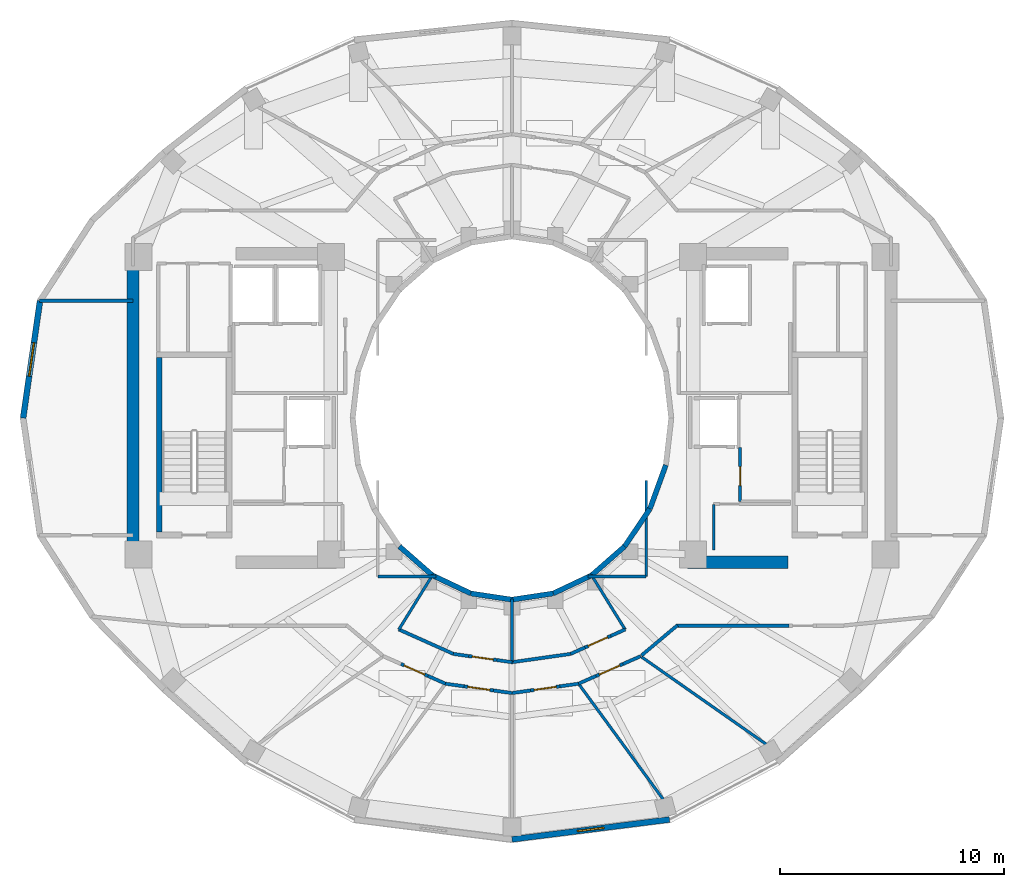
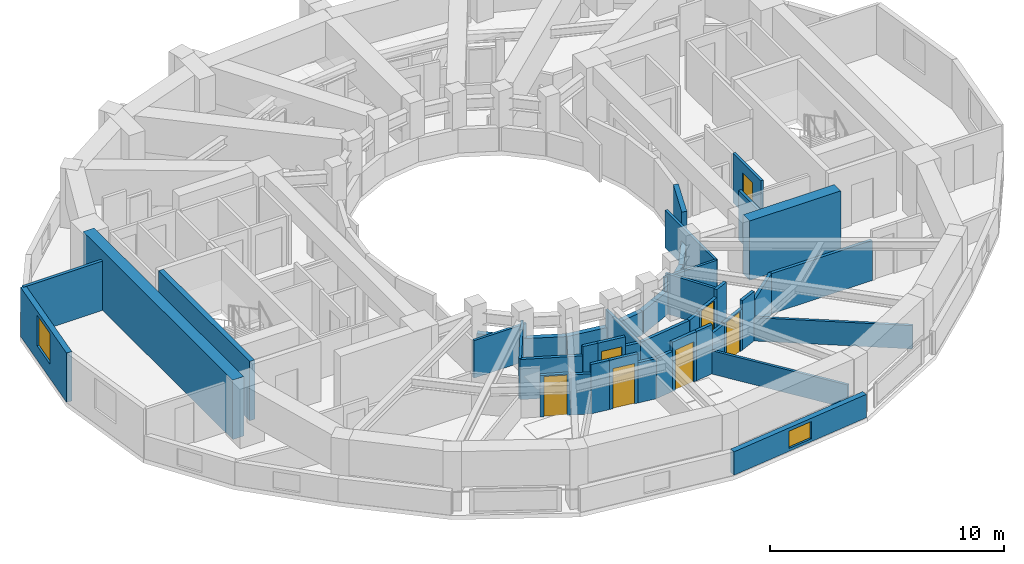
# One storey, part 11 of 17: 45 walls, 7 doors, 2 windows, 9 openings.
"""IFC4 building model written with IfcOpenShell, lengths in metres."""

from ifc_helpers import new_model, si_unit, direction, frame, frame_2d, origin, place, context, subcontext, project, spatial, rectangle, extrude, material, layer, layer_set, type_object, element, fill, save


model = new_model("IFC4")

# Units and contexts
model_context = context("Model", 3, precision=1e-05, world=origin(), true_north=direction((0.0, 1.0)))
body_context = subcontext(model_context, "Body", "Model", "MODEL_VIEW")
ifc_project = project(units=[si_unit("LENGTHUNIT", "METRE"), si_unit("AREAUNIT", "SQUARE_METRE"), si_unit("VOLUMEUNIT", "CUBIC_METRE"), si_unit("PLANEANGLEUNIT", "RADIAN"), si_unit("MASSUNIT", "GRAM", prefix="KILO")], contexts=[model_context])

# Site, building, storey
site_placement = place(None, origin())
site = spatial("IfcSite", under=ifc_project, at=site_placement, CompositionType="ELEMENT")
building_placement = place(site_placement, origin())
building = spatial("IfcBuilding", under=site, at=building_placement, Name="Solvane Sanctuary Tower", CompositionType="ELEMENT")
storey_placement = place(building_placement, frame((0.0, 0.0, 235.699951171875)))
storey = spatial("IfcBuildingStorey", under=building, at=storey_placement, Name="L72", CompositionType="ELEMENT", Elevation=235.699951171875)

# Walls
ifc_material_1 = material(Name="Concrete C50/60", Category="concrete")
ifc_layer_1 = layer(ifc_material_1, 0.550048828125, Name="Concrete C50/60")
ifc_layer_set_1 = layer_set([ifc_layer_1], Name="Concrete C50/60")
wall_type_1 = type_object("IfcWallType", Name="Wall W-CORE-550", PredefinedType="SHEAR", material=ifc_layer_set_1)
wall_1_placement = place(storey_placement, frame((15.050048828125, 17.050048828125, 0.0), z_axis=(0.0, 0.0, 1.0), x_axis=(0.0, 1.0, 0.0)))
element("IfcWall", 1, at=wall_1_placement, inside=storey, type_object=wall_type_1, Name="L72 Core Shear Wall WC-W", PredefinedType="SHEAR", context=body_context, shape_type="SweptSolid", body=[
    extrude(rectangle(XDim=12.800048828125, YDim=0.550048828125, at=frame_2d((6.39990234375, 0.0))), origin(), (0.0, 0.0, 1.0), 3.10009765625),
])
wall_2_placement = place(storey_placement, frame((39.85009765625, 16.550048828125, 0.0), z_axis=(0.0, 0.0, 1.0), x_axis=(1.0, 0.0, 0.0)))
element("IfcWall", 2, at=wall_2_placement, inside=storey, type_object=wall_type_1, Name="L72 Core Shear Wall EC-S", PredefinedType="SHEAR", context=body_context, shape_type="SweptSolid", body=[
    extrude(rectangle(XDim=4.5, YDim=0.550048828125, at=frame_2d((2.25, 0.0))), origin(), (0.0, 0.0, 1.0), 3.10009765625),
])
ifc_material_2 = material(Name="Acoustic Gypsum Partition Board")
ifc_layer_2 = layer(ifc_material_2, 0.14990234375, Name="Acoustic Gypsum Partition Board")
ifc_layer_set_2 = layer_set([ifc_layer_2], Name="Acoustic Gypsum Partition Board")
wall_type_2 = type_object("IfcWallType", Name="Wall W-CORR-150", PredefinedType="PARTITIONING", material=ifc_layer_set_2)
wall_3_placement = place(storey_placement, frame((26.934814453125, 13.548583984375, 0.0), z_axis=(0.0, 0.0, 1.0), x_axis=(0.912859324183, -0.408274239027, 0.0)))
element("IfcWall", 3, at=wall_3_placement, inside=storey, type_object=wall_type_2, Name="L72 South Light-Well Corridor Wall 1", PredefinedType="PARTITIONING", context=body_context, shape_type="SweptSolid", body=[
    extrude(rectangle(XDim=2.681884765625, YDim=0.14990234375, at=frame_2d((1.3408203125, 0.0))), origin(), (0.0, 0.0, 1.0), 2.095947265625),
])
wall_4_placement = place(storey_placement, frame((29.379638671875, 12.45458984375, 0.0), z_axis=(0.0, 0.0, 1.0), x_axis=(0.990090139669, -0.140433312754, 0.0)))
element("IfcWall", 4, at=wall_4_placement, inside=storey, type_object=wall_type_2, Name="L72 South Light-Well Corridor Wall 1", PredefinedType="PARTITIONING", context=body_context, shape_type="SweptSolid", body=[
    extrude(rectangle(XDim=0.69189453125, YDim=0.14990234375, at=frame_2d((0.345947265625, 0.0))), origin(), (0.0, 0.0, 1.0), 2.574951171875),
])

# Wall, opening, door
wall_5_placement = place(storey_placement, frame((30.064697265625, 12.357421875, 0.0), z_axis=(0.0, 0.0, 1.0), x_axis=(0.990102710588, -0.140344656064, 0.0)))
wall_5 = element("IfcWall", 5, at=wall_5_placement, inside=storey, type_object=wall_type_2, Name="L72 South Light-Well Corridor Wall 1", PredefinedType="PARTITIONING", context=body_context, shape_type="SweptSolid", body=[
    extrude(rectangle(XDim=1.269775390625, YDim=0.14990234375, at=frame_2d((0.634765625, 0.0))), origin(), (0.0, 0.0, 1.0), 2.574951171875),
])
opening_1_placement = place(wall_5_placement, frame((0.159912109375, 0.0, 0.0)))
opening_1 = element("IfcOpeningElement", 6, at=opening_1_placement, cuts=wall_5, Name="Opening D-L72-15", PredefinedType="OPENING", context=body_context, shape_type="SweptSolid", body=[
    extrude(rectangle(XDim=0.949951171875, YDim=2.10009765625, at=frame_2d((0.47509765625, 1.050048828125))), frame((0.0, 0.0849609375, 0.0), z_axis=(0.0, -1.0, 0.0), x_axis=(1.0, 0.0, 0.0)), (0.0, 0.0, 1.0), 0.169921875),
])
ifc_material_3 = material(Name="Engineered Tropical Hardwood", Category="wood")
door_type_1 = type_object("IfcDoorType", Name="Door D-ROOM-950", OperationType="NOTDEFINED", PredefinedType="DOOR", material=ifc_material_3)
door_1_placement = place(opening_1_placement, origin())
door_1 = element("IfcDoor", 7, at=door_1_placement, inside=storey, type_object=door_type_1, Name="L72 South Light-Well Alcove Door 1", OperationType="SINGLE_SWING_LEFT", OverallHeight=2.10009765625, OverallWidth=0.949951171875, PredefinedType="DOOR", context=body_context, shape_type="SweptSolid", body=[
    extrude(rectangle(XDim=0.949951171875, YDim=2.10009765625, at=frame_2d((0.47509765625, 1.050048828125))), frame((0.0, 0.02490234375, 0.0), z_axis=(0.0, -1.0, 0.0), x_axis=(1.0, 0.0, 0.0)), (0.0, 0.0, 1.0), 0.050048828125),
])
fill(opening_1, door_1)

# Walls
wall_6_placement = place(storey_placement, frame((31.322021484375, 12.17919921875, 0.0), z_axis=(0.0, 0.0, 1.0), x_axis=(0.990090139669, -0.140433312754, 0.0)))
element("IfcWall", 8, at=wall_6_placement, inside=storey, type_object=wall_type_2, Name="L72 South Light-Well Corridor Wall 1", PredefinedType="PARTITIONING", context=body_context, shape_type="SweptSolid", body=[
    extrude(rectangle(XDim=0.69189453125, YDim=0.14990234375, at=frame_2d((0.345947265625, 0.0))), origin(), (0.0, 0.0, 1.0), 2.095947265625),
])
wall_7_placement = place(storey_placement, frame((31.992919921875, 12.08203125, 0.0), z_axis=(0.0, 0.0, 1.0), x_axis=(0.990096156252, 0.140390887794, 0.0)))
element("IfcWall", 9, at=wall_7_placement, inside=storey, type_object=wall_type_2, Name="L72 South Light-Well Corridor Wall 2", PredefinedType="PARTITIONING", context=body_context, shape_type="SweptSolid", body=[
    extrude(rectangle(XDim=2.65380859375, YDim=0.14990234375, at=frame_2d((1.326904296875, 0.0))), origin(), (0.0, 0.0, 1.0), 2.095947265625),
])
wall_8_placement = place(storey_placement, frame((34.616943359375, 12.45361328125, 0.0), z_axis=(0.0, 0.0, 1.0), x_axis=(0.912953893823, 0.408062725269, 0.0)))
element("IfcWall", 10, at=wall_8_placement, inside=storey, type_object=wall_type_2, Name="L72 South Light-Well Corridor Wall 2", PredefinedType="PARTITIONING", context=body_context, shape_type="SweptSolid", body=[
    extrude(rectangle(XDim=0.7060546875, YDim=0.14990234375, at=frame_2d((0.35302734375, 0.0))), origin(), (0.0, 0.0, 1.0), 2.095947265625),
])

# Wall, opening, door
wall_9_placement = place(storey_placement, frame((35.261474609375, 12.74169921875, 0.0), z_axis=(0.0, 0.0, 1.0), x_axis=(0.912825795494, 0.408349197479, 0.0)))
wall_9 = element("IfcWall", 11, at=wall_9_placement, inside=storey, type_object=wall_type_2, Name="L72 South Light-Well Corridor Wall 2", PredefinedType="PARTITIONING", context=body_context, shape_type="SweptSolid", body=[
    extrude(rectangle(XDim=1.269775390625, YDim=0.14990234375, at=frame_2d((0.634765625, 0.0))), origin(), (0.0, 0.0, 1.0), 2.16015625),
])
opening_2_placement = place(wall_9_placement, frame((0.159912109375, 0.0, 0.0)))
opening_2 = element("IfcOpeningElement", 12, at=opening_2_placement, cuts=wall_9, Name="Opening D-L72-16", PredefinedType="OPENING", context=body_context, shape_type="SweptSolid", body=[
    extrude(rectangle(XDim=0.949951171875, YDim=2.10009765625, at=frame_2d((0.47509765625, 1.050048828125))), frame((0.0, 0.0849609375, 0.0), z_axis=(0.0, -1.0, 0.0), x_axis=(1.0, 0.0, 0.0)), (0.0, 0.0, 1.0), 0.169921875),
])
door_2_placement = place(opening_2_placement, origin())
door_2 = element("IfcDoor", 13, at=door_2_placement, inside=storey, type_object=door_type_1, Name="L72 South Light-Well Alcove Door 2", OperationType="SINGLE_SWING_RIGHT", OverallHeight=2.10009765625, OverallWidth=0.949951171875, PredefinedType="DOOR", context=body_context, shape_type="SweptSolid", body=[
    extrude(rectangle(XDim=0.949951171875, YDim=2.10009765625, at=frame_2d((0.47509765625, 1.050048828125))), frame((0.0, 0.02490234375, 0.0), z_axis=(0.0, -1.0, 0.0), x_axis=(1.0, 0.0, 0.0)), (0.0, 0.0, 1.0), 0.050048828125),
])
fill(opening_2, door_2)

# Walls
wall_10_placement = place(storey_placement, frame((36.420654296875, 13.26025390625, 0.0), z_axis=(0.0, 0.0, 1.0), x_axis=(0.912825035427, 0.40835089653, 0.0)))
element("IfcWall", 14, at=wall_10_placement, inside=storey, type_object=wall_type_2, Name="L72 South Light-Well Corridor Wall 2", PredefinedType="PARTITIONING", context=body_context, shape_type="SweptSolid", body=[
    extrude(rectangle(XDim=0.7060546875, YDim=0.14990234375, at=frame_2d((0.35302734375, 0.0))), origin(), (0.0, 0.0, 1.0), 2.574951171875),
])
wall_11_placement = place(storey_placement, frame((10.87548828125, 28.245361328125, 0.0), z_axis=(0.0, 0.0, 1.0), x_axis=(1.0, 0.0, 0.0)))
element("IfcWall", 15, at=wall_11_placement, inside=storey, type_object=wall_type_2, Name="L72 West Shoulder North Wall", PredefinedType="PARTITIONING", context=body_context, shape_type="SweptSolid", body=[
    extrude(rectangle(XDim=4.174560546875, YDim=0.14990234375, at=frame_2d((2.08740234375, 0.0))), origin(), (0.0, 0.0, 1.0), 2.574951171875),
])
wall_12_placement = place(storey_placement, frame((37.791015625, 12.385009765625, 0.0), z_axis=(0.0, 0.0, 1.0), x_axis=(0.765677451641, 0.643224719711, 0.0)))
element("IfcWall", 16, at=wall_12_placement, inside=storey, type_object=wall_type_2, Name="L72 SE Corner Throat Wall", PredefinedType="PARTITIONING", context=body_context, shape_type="SweptSolid", body=[
    extrude(rectangle(XDim=2.10546875, YDim=0.14990234375, at=frame_2d((1.052734375, 0.0))), origin(), (0.0, 0.0, 1.0), 2.095947265625),
])
wall_13_placement = place(storey_placement, frame((39.330078125, 13.719970703125, 0.0), z_axis=(0.0, 0.0, 1.0), x_axis=(1.0, 0.0, 0.0)))
element("IfcWall", 17, at=wall_13_placement, inside=storey, type_object=wall_type_2, Name="L72 SE Corner Corridor Wall", PredefinedType="PARTITIONING", context=body_context, shape_type="SweptSolid", body=[
    extrude(rectangle(XDim=5.059814453125, YDim=0.14990234375, at=frame_2d((2.52978515625, 0.0))), origin(), (0.0, 0.0, 1.0), 2.095947265625),
])

# Wall, opening, door
wall_14_placement = place(storey_placement, frame((27.034423828125, 12.003662109375, 0.0), z_axis=(0.0, 0.0, 1.0), x_axis=(0.914314172667, -0.405005671145, 0.0)))
wall_14 = element("IfcWall", 18, at=wall_14_placement, inside=storey, type_object=wall_type_2, Name="L72 Unit Corridor Wall S1", PredefinedType="PARTITIONING", context=body_context, shape_type="SweptSolid", body=[
    extrude(rectangle(XDim=1.320068359375, YDim=0.14990234375, at=frame_2d((0.66015625, 0.0))), origin(), (0.0, 0.0, 1.0), 2.16015625),
])
opening_3_placement = place(wall_14_placement, frame((0.159912109375, 0.0, 0.0)))
opening_3 = element("IfcOpeningElement", 19, at=opening_3_placement, cuts=wall_14, Name="Opening D-L72-27", PredefinedType="OPENING", context=body_context, shape_type="SweptSolid", body=[
    extrude(rectangle(XDim=1.0, YDim=2.10009765625, at=frame_2d((0.5, 1.050048828125))), frame((0.0, 0.0849609375, 0.0), z_axis=(0.0, -1.0, 0.0), x_axis=(1.0, 0.0, 0.0)), (0.0, 0.0, 1.0), 0.169921875),
])
door_type_2 = type_object("IfcDoorType", Name="Door D-UNIT", OperationType="NOTDEFINED", PredefinedType="DOOR", material=ifc_material_3)
door_3_placement = place(opening_3_placement, origin())
door_3 = element("IfcDoor", 20, at=door_3_placement, inside=storey, type_object=door_type_2, Name="L72 Unit Entrance Door S1", OperationType="SINGLE_SWING_LEFT", OverallHeight=2.10009765625, OverallWidth=1.0, PredefinedType="DOOR", context=body_context, shape_type="SweptSolid", body=[
    extrude(rectangle(XDim=1.0, YDim=2.10009765625, at=frame_2d((0.5, 1.050048828125))), frame((0.0, 0.02490234375, 0.0), z_axis=(0.0, -1.0, 0.0), x_axis=(1.0, 0.0, 0.0)), (0.0, 0.0, 1.0), 0.050048828125),
])
fill(opening_3, door_3)

# Walls
wall_15_placement = place(storey_placement, frame((28.241455078125, 11.468994140625, 0.0), z_axis=(0.0, 0.0, 1.0), x_axis=(0.914346402493, -0.40493290339, 0.0)))
element("IfcWall", 21, at=wall_15_placement, inside=storey, type_object=wall_type_2, Name="L72 Unit Corridor Wall S1", PredefinedType="PARTITIONING", context=body_context, shape_type="SweptSolid", body=[
    extrude(rectangle(XDim=0.864501953125, YDim=0.14990234375, at=frame_2d((0.43212890625, 0.0))), origin(), (0.0, 0.0, 1.0), 2.095947265625),
])
wall_16_placement = place(storey_placement, frame((29.016357421875, 11.123291015625, 0.0), z_axis=(0.0, 0.0, 1.0), x_axis=(0.99022315503, -0.139492305317, 0.0)))
element("IfcWall", 22, at=wall_16_placement, inside=storey, type_object=wall_type_2, Name="L72 Unit Corridor Wall S2", PredefinedType="PARTITIONING", context=body_context, shape_type="SweptSolid", body=[
    extrude(rectangle(XDim=0.8505859375, YDim=0.14990234375, at=frame_2d((0.42529296875, 0.0))), origin(), (0.0, 0.0, 1.0), 2.574951171875),
])

# Wall, opening, door
wall_17_placement = place(storey_placement, frame((29.858642578125, 11.004638671875, 0.0), z_axis=(0.0, 0.0, 1.0), x_axis=(0.990228663531, -0.139453196171, 0.0)))
wall_17 = element("IfcWall", 23, at=wall_17_placement, inside=storey, type_object=wall_type_2, Name="L72 Unit Corridor Wall S2", PredefinedType="PARTITIONING", context=body_context, shape_type="SweptSolid", body=[
    extrude(rectangle(XDim=1.320068359375, YDim=0.14990234375, at=frame_2d((0.66015625, 0.0))), origin(), (0.0, 0.0, 1.0), 2.574951171875),
])
opening_4_placement = place(wall_17_placement, frame((0.159912109375, 0.0, 0.0)))
opening_4 = element("IfcOpeningElement", 24, at=opening_4_placement, cuts=wall_17, Name="Opening D-L72-28", PredefinedType="OPENING", context=body_context, shape_type="SweptSolid", body=[
    extrude(rectangle(XDim=1.0, YDim=2.10009765625, at=frame_2d((0.5, 1.050048828125))), frame((0.0, 0.0849609375, 0.0), z_axis=(0.0, -1.0, 0.0), x_axis=(1.0, 0.0, 0.0)), (0.0, 0.0, 1.0), 0.169921875),
])
door_4_placement = place(opening_4_placement, origin())
door_4 = element("IfcDoor", 25, at=door_4_placement, inside=storey, type_object=door_type_2, Name="L72 Unit Entrance Door S2", OperationType="SINGLE_SWING_RIGHT", OverallHeight=2.10009765625, OverallWidth=1.0, PredefinedType="DOOR", context=body_context, shape_type="SweptSolid", body=[
    extrude(rectangle(XDim=1.0, YDim=2.10009765625, at=frame_2d((0.5, 1.050048828125))), frame((0.0, 0.02490234375, 0.0), z_axis=(0.0, -1.0, 0.0), x_axis=(1.0, 0.0, 0.0)), (0.0, 0.0, 1.0), 0.050048828125),
])
fill(opening_4, door_4)

# Walls
for number, where, z_axis, x_axis, name in (
    (26, (31.165771484375, 10.820556640625, 0.0), (0.0, 0.0, 1.0), (0.99022315503, -0.139492305317, 0.0), "L72 Unit Corridor Wall S2"),
    (27, (31.991943359375, 10.701904296875, 0.0), (0.0, 0.0, 1.0), (0.99022315503, 0.139492305317, 0.0), "L72 Unit Corridor Wall S3"),
):
    element("IfcWall", number, at=place(storey_placement, frame(where, z_axis=z_axis, x_axis=x_axis)), inside=storey, type_object=wall_type_2, Name=name, PredefinedType="PARTITIONING", context=body_context, shape_type="SweptSolid", body=[
        extrude(rectangle(XDim=0.8505859375, YDim=0.14990234375, at=frame_2d((0.42529296875, 0.0))), origin(), (0.0, 0.0, 1.0), 2.095947265625),
    ])

# Wall, opening, door
wall_18_placement = place(storey_placement, frame((32.834228515625, 10.820556640625, 0.0), z_axis=(0.0, 0.0, 1.0), x_axis=(0.990228663531, 0.139453196171, 0.0)))
wall_18 = element("IfcWall", 28, at=wall_18_placement, inside=storey, type_object=wall_type_2, Name="L72 Unit Corridor Wall S3", PredefinedType="PARTITIONING", context=body_context, shape_type="SweptSolid", body=[
    extrude(rectangle(XDim=1.320068359375, YDim=0.14990234375, at=frame_2d((0.66015625, 0.0))), origin(), (0.0, 0.0, 1.0), 2.574951171875),
])
opening_5_placement = place(wall_18_placement, frame((0.159912109375, 0.0, 0.0)))
opening_5 = element("IfcOpeningElement", 29, at=opening_5_placement, cuts=wall_18, Name="Opening D-L72-29", PredefinedType="OPENING", context=body_context, shape_type="SweptSolid", body=[
    extrude(rectangle(XDim=1.0, YDim=2.10009765625, at=frame_2d((0.5, 1.050048828125))), frame((0.0, 0.0849609375, 0.0), z_axis=(0.0, -1.0, 0.0), x_axis=(1.0, 0.0, 0.0)), (0.0, 0.0, 1.0), 0.169921875),
])
door_5_placement = place(opening_5_placement, origin())
door_5 = element("IfcDoor", 30, at=door_5_placement, inside=storey, type_object=door_type_2, Name="L72 Unit Entrance Door S3", OperationType="SINGLE_SWING_LEFT", OverallHeight=2.10009765625, OverallWidth=1.0, PredefinedType="DOOR", context=body_context, shape_type="SweptSolid", body=[
    extrude(rectangle(XDim=1.0, YDim=2.10009765625, at=frame_2d((0.5, 1.050048828125))), frame((0.0, 0.02490234375, 0.0), z_axis=(0.0, -1.0, 0.0), x_axis=(1.0, 0.0, 0.0)), (0.0, 0.0, 1.0), 0.050048828125),
])
fill(opening_5, door_5)

# Walls
wall_19_placement = place(storey_placement, frame((34.141357421875, 11.004638671875, 0.0), z_axis=(0.0, 0.0, 1.0), x_axis=(0.99022315503, 0.139492305317, 0.0)))
element("IfcWall", 31, at=wall_19_placement, inside=storey, type_object=wall_type_2, Name="L72 Unit Corridor Wall S3", PredefinedType="PARTITIONING", context=body_context, shape_type="SweptSolid", body=[
    extrude(rectangle(XDim=0.8505859375, YDim=0.14990234375, at=frame_2d((0.42529296875, 0.0))), origin(), (0.0, 0.0, 1.0), 2.574951171875),
])
wall_20_placement = place(storey_placement, frame((34.968017578125, 11.118896484375, 0.0), z_axis=(0.0, 0.0, 1.0), x_axis=(0.914346402493, 0.40493290339, 0.0)))
element("IfcWall", 32, at=wall_20_placement, inside=storey, type_object=wall_type_2, Name="L72 Unit Corridor Wall S4", PredefinedType="PARTITIONING", context=body_context, shape_type="SweptSolid", body=[
    extrude(rectangle(XDim=0.864501953125, YDim=0.14990234375, at=frame_2d((0.43212890625, 0.0))), origin(), (0.0, 0.0, 1.0), 2.095947265625),
])

# Wall, opening, door
wall_21_placement = place(storey_placement, frame((35.758544921875, 11.468994140625, 0.0), z_axis=(0.0, 0.0, 1.0), x_axis=(0.914314172667, 0.405005671145, 0.0)))
wall_21 = element("IfcWall", 33, at=wall_21_placement, inside=storey, type_object=wall_type_2, Name="L72 Unit Corridor Wall S4", PredefinedType="PARTITIONING", context=body_context, shape_type="SweptSolid", body=[
    extrude(rectangle(XDim=1.320068359375, YDim=0.14990234375, at=frame_2d((0.66015625, 0.0))), origin(), (0.0, 0.0, 1.0), 2.16015625),
])
opening_6_placement = place(wall_21_placement, frame((0.159912109375, 0.0, 0.0)))
opening_6 = element("IfcOpeningElement", 34, at=opening_6_placement, cuts=wall_21, Name="Opening D-L72-30", PredefinedType="OPENING", context=body_context, shape_type="SweptSolid", body=[
    extrude(rectangle(XDim=1.0, YDim=2.10009765625, at=frame_2d((0.5, 1.050048828125))), frame((0.0, 0.0849609375, 0.0), z_axis=(0.0, -1.0, 0.0), x_axis=(1.0, 0.0, 0.0)), (0.0, 0.0, 1.0), 0.169921875),
])
door_6_placement = place(opening_6_placement, origin())
door_6 = element("IfcDoor", 35, at=door_6_placement, inside=storey, type_object=door_type_2, Name="L72 Unit Entrance Door S4", OperationType="SINGLE_SWING_RIGHT", OverallHeight=2.10009765625, OverallWidth=1.0, PredefinedType="DOOR", context=body_context, shape_type="SweptSolid", body=[
    extrude(rectangle(XDim=1.0, YDim=2.10009765625, at=frame_2d((0.5, 1.050048828125))), frame((0.0, 0.02490234375, 0.0), z_axis=(0.0, -1.0, 0.0), x_axis=(1.0, 0.0, 0.0)), (0.0, 0.0, 1.0), 0.050048828125),
])
fill(opening_6, door_6)

# Wall
wall_22_placement = place(storey_placement, frame((36.965576171875, 12.003662109375, 0.0), z_axis=(0.0, 0.0, 1.0), x_axis=(0.914241833088, 0.405168940853, 0.0)))
element("IfcWall", 36, at=wall_22_placement, inside=storey, type_object=wall_type_2, Name="L72 Unit Corridor Wall S4", PredefinedType="PARTITIONING", context=body_context, shape_type="SweptSolid", body=[
    extrude(rectangle(XDim=0.86474609375, YDim=0.14990234375, at=frame_2d((0.432373046875, 0.0))), origin(), (0.0, 0.0, 1.0), 2.574951171875),
])

# Wall, opening, window
ifc_material_4 = material(Name="Precast concrete C40/50", Category="concrete")
ifc_layer_3 = layer(ifc_material_4, 0.260009765625, Name="Precast concrete C40/50")
ifc_layer_set_3 = layer_set([ifc_layer_3], Name="Precast concrete C40/50")
wall_type_3 = type_object("IfcWallType", Name="Wall W-EXT-250", PredefinedType="STANDARD", material=ifc_layer_set_3)
wall_23_placement = place(storey_placement, frame((10.895263671875, 28.23876953125, 0.0), z_axis=(0.0, 0.0, 1.0), x_axis=(-0.142712754019, -0.989764148593, 0.0)))
wall_23 = element("IfcWall", 37, at=wall_23_placement, inside=storey, type_object=wall_type_3, Name="L72 Ceramic-Printed Facade Wall 11", PredefinedType="STANDARD", context=body_context, shape_type="SweptSolid", body=[
    extrude(rectangle(XDim=5.29296875, YDim=0.260009765625, at=frame_2d((2.646484375, 0.0))), origin(), (0.0, 0.0, 1.0), 2.570068359375),
])
opening_7_placement = place(wall_23_placement, frame((1.896484375, 0.0, 0.75)))
opening_7 = element("IfcOpeningElement", 38, at=opening_7_placement, cuts=wall_23, Name="Opening WN-OPER-1500", PredefinedType="OPENING", context=body_context, shape_type="SweptSolid", body=[
    extrude(rectangle(XDim=1.5, YDim=1.60009765625, at=frame_2d((0.75, 0.800048828125))), frame((0.0, 0.139892578125, 0.0), z_axis=(0.0, -1.0, 0.0), x_axis=(1.0, 0.0, 0.0)), (0.0, 0.0, 1.0), 0.280029296875),
])
ifc_material_5 = material(Name="Dark Ceramic-Fritted Low-E Glass", Category="glass")
window_type_1 = type_object("IfcWindowType", Name="Window WN-OPER-1500", PartitioningType="SINGLE_PANEL", PredefinedType="WINDOW", material=ifc_material_5)
window_1_placement = place(opening_7_placement, origin())
window_1 = element("IfcWindow", 39, at=window_1_placement, inside=storey, type_object=window_type_1, Name="L72 Operable Facade Window 11", OverallHeight=1.60009765625, OverallWidth=1.5, PartitioningType="SINGLE_PANEL", PredefinedType="WINDOW", context=body_context, shape_type="SweptSolid", body=[
    extrude(rectangle(XDim=1.5, YDim=1.60009765625, at=frame_2d((0.75, 0.800048828125))), frame((0.0, 0.030029296875, 0.0), z_axis=(0.0, -1.0, 0.0), x_axis=(1.0, 0.0, 0.0)), (0.0, 0.0, 1.0), 0.06005859375),
])
fill(opening_7, window_1)

wall_24_placement = place(storey_placement, frame((32.0, 4.162109375, 0.0), z_axis=(0.0, 0.0, 1.0), x_axis=(0.992180211307, 0.124813574142, 0.0)))
wall_24 = element("IfcWall", 40, at=wall_24_placement, inside=storey, type_object=wall_type_3, Name="L72 Ceramic-Printed Facade Wall 18", PredefinedType="STANDARD", context=body_context, shape_type="SweptSolid", body=[
    extrude(rectangle(XDim=7.098388671875, YDim=0.260009765625, at=frame_2d((3.54931640625, 0.0))), origin(), (0.0, 0.0, 1.0), 1.219970703125),
])
opening_8_placement = place(wall_24_placement, frame((2.94921875, 0.0, 0.14990234375)))
opening_8 = element("IfcOpeningElement", 41, at=opening_8_placement, cuts=wall_24, Name="Opening WN-OPER-1200", PredefinedType="OPENING", context=body_context, shape_type="SweptSolid", body=[
    extrude(rectangle(XDim=1.199951171875, YDim=0.89990234375, at=frame_2d((0.60009765625, 0.449951171875))), frame((0.0, 0.139892578125, 0.0), z_axis=(0.0, -1.0, 0.0), x_axis=(1.0, 0.0, 0.0)), (0.0, 0.0, 1.0), 0.280029296875),
])
window_type_2 = type_object("IfcWindowType", Name="Window WN-OPER-1200", PartitioningType="SINGLE_PANEL", PredefinedType="WINDOW", material=ifc_material_5)
window_2_placement = place(opening_8_placement, origin())
window_2 = element("IfcWindow", 42, at=window_2_placement, inside=storey, type_object=window_type_2, Name="L72 Operable Facade Window 18", OverallHeight=0.89990234375, OverallWidth=1.199951171875, PartitioningType="SINGLE_PANEL", PredefinedType="WINDOW", context=body_context, shape_type="SweptSolid", body=[
    extrude(rectangle(XDim=1.199951171875, YDim=0.89990234375, at=frame_2d((0.60009765625, 0.449951171875))), frame((0.0, 0.030029296875, 0.0), z_axis=(0.0, -1.0, 0.0), x_axis=(1.0, 0.0, 0.0)), (0.0, 0.0, 1.0), 0.06005859375),
])
fill(opening_8, window_2)

# Walls
ifc_layer_4 = layer(ifc_material_4, 0.22998046875, Name="Precast concrete C40/50")
ifc_layer_set_4 = layer_set([ifc_layer_4], Name="Precast concrete C40/50")
wall_type_4 = type_object("IfcWallType", Name="Wall W-EXT-SP220", PredefinedType="STANDARD", material=ifc_layer_set_4)
wall_25_placement = place(storey_placement, frame((26.96533203125, 17.25830078125, 0.0), z_axis=(0.0, 0.0, 1.0), x_axis=(0.752576694707, -0.658504607869, 0.0)))
element("IfcWall", 43, at=wall_25_placement, inside=storey, type_object=wall_type_4, Name="L72 Central Light-Well Wall 15", PredefinedType="STANDARD", context=body_context, shape_type="SweptSolid", body=[
    extrude(rectangle(XDim=1.95947265625, YDim=0.22998046875, at=frame_2d((0.979736328125, 0.0))), origin(), (0.0, 0.0, 1.0), 1.219970703125),
])
wall_26_placement = place(storey_placement, frame((28.43994140625, 15.968017578125, 0.0), z_axis=(0.0, 0.0, 1.0), x_axis=(0.904179699603, -0.427152280606, 0.0)))
element("IfcWall", 44, at=wall_26_placement, inside=storey, type_object=wall_type_4, Name="L72 Central Light-Well Wall 16", PredefinedType="STANDARD", context=body_context, shape_type="SweptSolid", body=[
    extrude(rectangle(XDim=1.899169921875, YDim=0.22998046875, at=frame_2d((0.94970703125, 0.0))), origin(), (0.0, 0.0, 1.0), 1.219970703125),
])
for number, where, z_axis, x_axis, name in (
    (45, (30.1572265625, 15.15673828125, 0.0), (0.0, 0.0, 1.0), (0.988901730308, -0.148571086668, 0.0), "L72 Central Light-Well Wall 17"),
    (46, (32.0, 14.8798828125, 0.0), (0.0, 0.0, 1.0), (0.988901730308, 0.148571086668, 0.0), "L72 Central Light-Well Wall 18"),
):
    element("IfcWall", number, at=place(storey_placement, frame(where, z_axis=z_axis, x_axis=x_axis)), inside=storey, type_object=wall_type_4, Name=name, PredefinedType="STANDARD", context=body_context, shape_type="SweptSolid", body=[
        extrude(rectangle(XDim=1.863525390625, YDim=0.22998046875, at=frame_2d((0.931640625, 0.0))), origin(), (0.0, 0.0, 1.0), 1.219970703125),
    ])
wall_27_placement = place(storey_placement, frame((33.8427734375, 15.15673828125, 0.0), z_axis=(0.0, 0.0, 1.0), x_axis=(0.904179699603, 0.427152280606, 0.0)))
element("IfcWall", 47, at=wall_27_placement, inside=storey, type_object=wall_type_4, Name="L72 Central Light-Well Wall 19", PredefinedType="STANDARD", context=body_context, shape_type="SweptSolid", body=[
    extrude(rectangle(XDim=1.899169921875, YDim=0.22998046875, at=frame_2d((0.94970703125, 0.0))), origin(), (0.0, 0.0, 1.0), 1.219970703125),
])
wall_28_placement = place(storey_placement, frame((35.56005859375, 15.968017578125, 0.0), z_axis=(0.0, 0.0, 1.0), x_axis=(0.752576694707, 0.658504607869, 0.0)))
element("IfcWall", 48, at=wall_28_placement, inside=storey, type_object=wall_type_4, Name="L72 Central Light-Well Wall 20", PredefinedType="STANDARD", context=body_context, shape_type="SweptSolid", body=[
    extrude(rectangle(XDim=1.95947265625, YDim=0.22998046875, at=frame_2d((0.979736328125, 0.0))), origin(), (0.0, 0.0, 1.0), 1.219970703125),
])
wall_29_placement = place(storey_placement, frame((37.03466796875, 17.25830078125, 0.0), z_axis=(0.0, 0.0, 1.0), x_axis=(0.558197800898, 0.829707909492, 0.0)))
element("IfcWall", 49, at=wall_29_placement, inside=storey, type_object=wall_type_4, Name="L72 Central Light-Well Wall 21", PredefinedType="STANDARD", context=body_context, shape_type="SweptSolid", body=[
    extrude(rectangle(XDim=2.02685546875, YDim=0.22998046875, at=frame_2d((1.013427734375, 0.0))), origin(), (0.0, 0.0, 1.0), 1.219970703125),
])
wall_30_placement = place(storey_placement, frame((38.166015625, 18.93994140625, 0.0), z_axis=(0.0, 0.0, 1.0), x_axis=(0.341423187295, 0.93990968033, 0.0)))
element("IfcWall", 50, at=wall_30_placement, inside=storey, type_object=wall_type_4, Name="L72 Central Light-Well Wall 22", PredefinedType="STANDARD", context=body_context, shape_type="SweptSolid", body=[
    extrude(rectangle(XDim=2.083740234375, YDim=0.22998046875, at=frame_2d((1.0419921875, 0.0))), origin(), (0.0, 0.0, 1.0), 2.56005859375),
])
ifc_layer_5 = layer(ifc_material_2, 0.125, Name="Acoustic Gypsum Partition Board")
ifc_layer_set_5 = layer_set([ifc_layer_5], Name="Acoustic Gypsum Partition Board")
wall_type_5 = type_object("IfcWallType", Name="Wall W-PART-125", PredefinedType="PARTITIONING", material=ifc_layer_set_5)
wall_31_placement = place(storey_placement, frame((41.02001953125, 17.10009765625, 0.0), z_axis=(0.0, 0.0, 1.0), x_axis=(0.0, 1.0, 0.0)))
element("IfcWall", 51, at=wall_31_placement, inside=storey, type_object=wall_type_5, Name="L72 Reclaimed Room Closer Wall PLE-1", PredefinedType="PARTITIONING", context=body_context, shape_type="SweptSolid", body=[
    extrude(rectangle(XDim=2.039794921875, YDim=0.125, at=frame_2d((1.02001953125, 0.0))), origin(), (0.0, 0.0, 1.0), 2.574951171875),
])

# Wall, opening, door
wall_32_placement = place(storey_placement, frame((42.199951171875, 19.280029296875, 0.0), z_axis=(0.0, 0.0, 1.0), x_axis=(0.0, 1.0, 0.0)))
wall_32 = element("IfcWall", 52, at=wall_32_placement, inside=storey, type_object=wall_type_5, Name="L72 Reclaimed Room Partition PME", PredefinedType="PARTITIONING", context=body_context, shape_type="SweptSolid", body=[
    extrude(rectangle(XDim=2.39990234375, YDim=0.125, at=frame_2d((1.199951171875, 0.0))), origin(), (0.0, 0.0, 1.0), 2.574951171875),
])
opening_9_placement = place(wall_32_placement, frame((0.699951171875, 0.0, 0.0)))
opening_9 = element("IfcOpeningElement", 53, at=opening_9_placement, cuts=wall_32, Name="Opening D-L72-08", PredefinedType="OPENING", context=body_context, shape_type="SweptSolid", body=[
    extrude(rectangle(XDim=0.85009765625, YDim=2.050048828125, at=frame_2d((0.425048828125, 1.02490234375))), frame((0.0, 0.072509765625, 0.0), z_axis=(0.0, -1.0, 0.0), x_axis=(1.0, 0.0, 0.0)), (0.0, 0.0, 1.0), 0.14501953125),
])
ifc_material_6 = material(Name="Architectural Stainless Steel 316", Category="steel")
door_type_3 = type_object("IfcDoorType", Name="Door D-RISER", OperationType="NOTDEFINED", PredefinedType="DOOR", material=ifc_material_6)
door_7_placement = place(opening_9_placement, origin())
door_7 = element("IfcDoor", 54, at=door_7_placement, inside=storey, type_object=door_type_3, Name="L72 Reclaimed Room Door PME-1", OperationType="SINGLE_SWING_RIGHT", OverallHeight=2.050048828125, OverallWidth=0.85009765625, PredefinedType="DOOR", context=body_context, shape_type="SweptSolid", body=[
    extrude(rectangle(XDim=0.85009765625, YDim=2.050048828125, at=frame_2d((0.425048828125, 1.02490234375))), frame((0.0, 0.02490234375, 0.0), z_axis=(0.0, -1.0, 0.0), x_axis=(1.0, 0.0, 0.0)), (0.0, 0.0, 1.0), 0.050048828125),
])
fill(opening_9, door_7)

# Walls
wall_33_placement = place(storey_placement, frame((28.449951171875, 15.985107421875, 0.0), z_axis=(0.0, 0.0, 1.0), x_axis=(-0.52592395012, -0.850531597702, 0.0)))
element("IfcWall", 55, at=wall_33_placement, inside=storey, type_object=wall_type_5, Name="L72 South Light-Well Radial Wall 240", PredefinedType="PARTITIONING", context=body_context, shape_type="SweptSolid", body=[
    extrude(rectangle(XDim=2.869384765625, YDim=0.125, at=frame_2d((1.4345703125, 0.0))), origin(), (0.0, 0.0, 1.0), 2.095947265625),
])
wall_34_placement = place(storey_placement, frame((32.0, 14.89990234375, 0.0), z_axis=(0.0, 0.0, 1.0), x_axis=(0.0, -1.0, 0.0)))
element("IfcWall", 56, at=wall_34_placement, inside=storey, type_object=wall_type_5, Name="L72 South Light-Well Radial Wall 270", PredefinedType="PARTITIONING", context=body_context, shape_type="SweptSolid", body=[
    extrude(rectangle(XDim=2.81787109375, YDim=0.125, at=frame_2d((1.408935546875, 0.0))), origin(), (0.0, 0.0, 1.0), 2.095947265625),
])
wall_35_placement = place(storey_placement, frame((35.550048828125, 15.985107421875, 0.0), z_axis=(0.0, 0.0, 1.0), x_axis=(0.52592395012, -0.850531597702, 0.0)))
element("IfcWall", 57, at=wall_35_placement, inside=storey, type_object=wall_type_5, Name="L72 South Light-Well Radial Wall 300", PredefinedType="PARTITIONING", context=body_context, shape_type="SweptSolid", body=[
    extrude(rectangle(XDim=2.869384765625, YDim=0.125, at=frame_2d((1.4345703125, 0.0))), origin(), (0.0, 0.0, 1.0), 2.095947265625),
])
wall_36_placement = place(storey_placement, frame((26.0, 15.919921875, 0.0), z_axis=(0.0, 0.0, 1.0), x_axis=(1.0, 0.0, 0.0)))
element("IfcWall", 58, at=wall_36_placement, inside=storey, type_object=wall_type_5, Name="L72 Bridge Alcove Wall 6", PredefinedType="PARTITIONING", context=body_context, shape_type="SweptSolid", body=[
    extrude(rectangle(XDim=2.60009765625, YDim=0.125, at=frame_2d((1.300048828125, 0.0))), origin(), (0.0, 0.0, 1.0), 1.9521484375),
])
wall_37_placement = place(storey_placement, frame((38.0, 15.919921875, 0.0), z_axis=(0.0, 0.0, 1.0), x_axis=(0.0, 1.0, 0.0)))
element("IfcWall", 59, at=wall_37_placement, inside=storey, type_object=wall_type_5, Name="L72 Bridge Alcove Wall 7", PredefinedType="PARTITIONING", context=body_context, shape_type="SweptSolid", body=[
    extrude(rectangle(XDim=4.280029296875, YDim=0.125, at=frame_2d((2.14013671875, 0.0))), origin(), (0.0, 0.0, 1.0), 1.9521484375),
])
wall_38_placement = place(storey_placement, frame((35.39990234375, 15.919921875, 0.0), z_axis=(0.0, 0.0, 1.0), x_axis=(1.0, 0.0, 0.0)))
element("IfcWall", 60, at=wall_38_placement, inside=storey, type_object=wall_type_5, Name="L72 Bridge Alcove Wall 8", PredefinedType="PARTITIONING", context=body_context, shape_type="SweptSolid", body=[
    extrude(rectangle(XDim=2.60009765625, YDim=0.125, at=frame_2d((1.300048828125, 0.0))), origin(), (0.0, 0.0, 1.0), 1.9521484375),
])
wall_39_placement = place(storey_placement, frame((35.00830078125, 11.07666015625, 0.0), z_axis=(0.0, 0.0, 1.0), x_axis=(0.590771495169, -0.806838918555, 0.0)))
element("IfcWall", 61, at=wall_39_placement, inside=storey, type_object=wall_type_5, Name="L72 Radial Compartment Wall 285", PredefinedType="PARTITIONING", context=body_context, shape_type="SweptSolid", body=[
    extrude(rectangle(XDim=6.346923828125, YDim=0.125, at=frame_2d((3.17333984375, 0.0))), origin(), (0.0, 0.0, 1.0), 1.219970703125),
])
wall_40_placement = place(storey_placement, frame((37.7939453125, 12.318115234375, 0.0), z_axis=(0.0, 0.0, 1.0), x_axis=(0.819017716307, -0.573768228796, 0.0)))
element("IfcWall", 62, at=wall_40_placement, inside=storey, type_object=wall_type_5, Name="L72 Radial Compartment Wall 300", PredefinedType="PARTITIONING", context=body_context, shape_type="SweptSolid", body=[
    extrude(rectangle(XDim=6.802001953125, YDim=0.125, at=frame_2d((3.40087890625, 0.0))), origin(), (0.0, 0.0, 1.0), 1.219970703125),
])
ifc_layer_6 = layer(ifc_material_1, 0.25, Name="Concrete C50/60")
ifc_layer_set_6 = layer_set([ifc_layer_6], Name="Concrete C50/60")
wall_type_6 = type_object("IfcWallType", Name="Wall W-SHAFT-250", PredefinedType="SOLIDWALL", material=ifc_layer_set_6)
wall_41_placement = place(storey_placement, frame((16.22998046875, 17.89501953125, 0.0), z_axis=(0.0, 0.0, 1.0), x_axis=(0.0, 1.0, 0.0)))
element("IfcWall", 63, at=wall_41_placement, inside=storey, type_object=wall_type_6, Name="L72 ST-1 Load-Bearing Shaft Wall W", PredefinedType="SOLIDWALL", context=body_context, shape_type="SweptSolid", body=[
    extrude(rectangle(XDim=7.81005859375, YDim=0.25, at=frame_2d((3.905029296875, 0.0))), origin(), (0.0, 0.0, 1.0), 3.10009765625),
])

save(model, "model.ifc")
